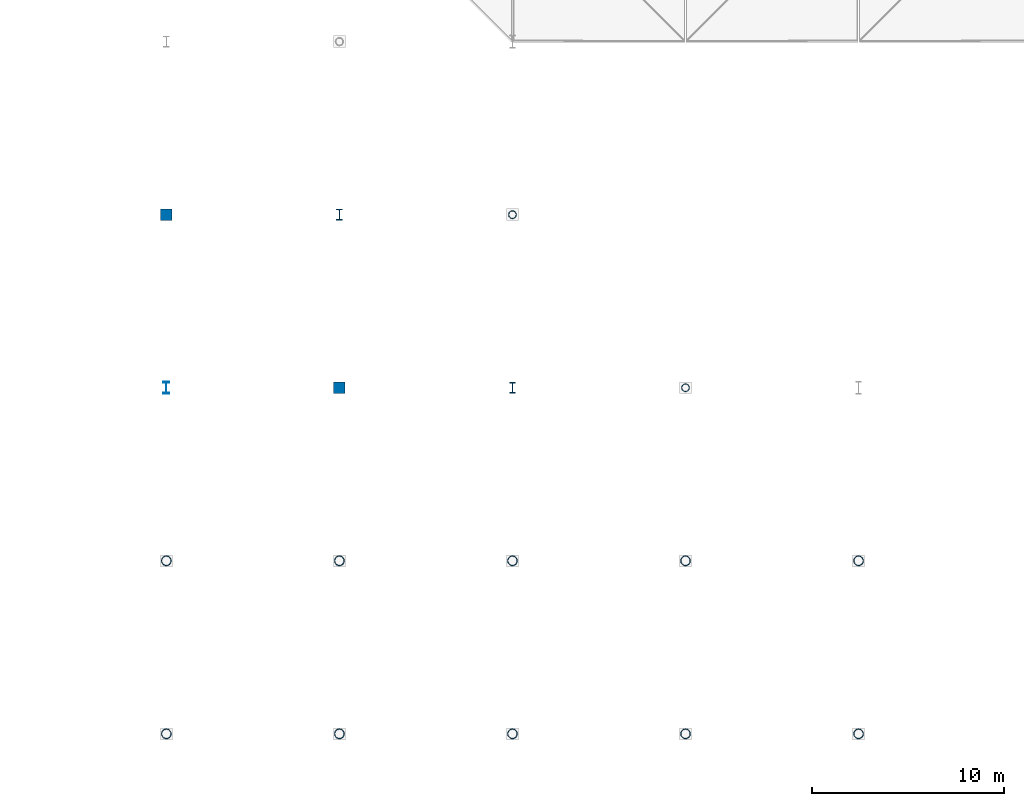
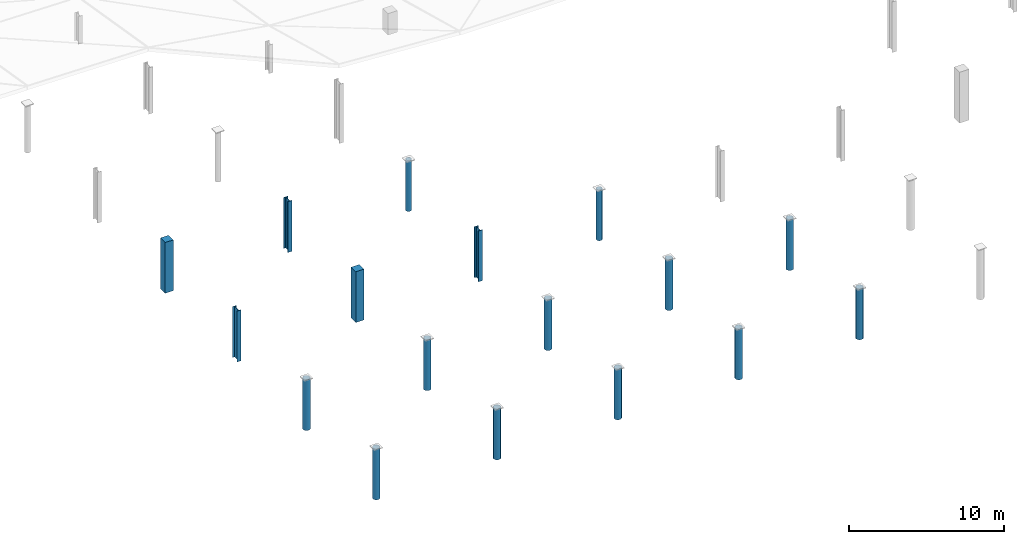
# One storey, part 1 of 102: 17 columns.
"""IFC4 building model written with IfcOpenShell, lengths in metres."""

from ifc_helpers import new_model, si_unit, direction, frame, origin, origin_2d, place, context, subcontext, project, spatial, rectangle, hollow_circle, i_section, extrude, material, material_profile, profile_set, type_object, element, save


model = new_model("IFC4")

# Units and contexts
model_context = context("Model", 3, precision=1e-05, world=origin(), true_north=direction((0.0, 1.0)))
body_context = subcontext(model_context, "Body", "Model", "MODEL_VIEW")
ifc_project = project(units=[si_unit("LENGTHUNIT", "METRE"), si_unit("AREAUNIT", "SQUARE_METRE"), si_unit("VOLUMEUNIT", "CUBIC_METRE"), si_unit("PLANEANGLEUNIT", "RADIAN"), si_unit("MASSUNIT", "GRAM", prefix="KILO")], contexts=[model_context])

# Site, building, storey
site_placement = place(None, origin())
site = spatial("IfcSite", under=ifc_project, at=site_placement, CompositionType="ELEMENT")
building_placement = place(site_placement, origin())
building = spatial("IfcBuilding", under=site, at=building_placement, Name="Barlavento Convention Centre", CompositionType="ELEMENT")
storey_placement = place(building_placement, frame((0.0, 0.0, 22.800048828125)))
storey = spatial("IfcBuildingStorey", under=building, at=storey_placement, Name="L04", CompositionType="ELEMENT", Elevation=22.800048828125)

# Columns
ifc_material_1 = material(Name="Steel S355", Category="steel")
ifc_material_profile_1 = material_profile(ifc_material_1, hollow_circle(Radius=0.203125, WallThickness=0.01611328125, at=origin_2d()), Name="CHS 406.4x16.0")
ifc_profile_set_1 = profile_set([ifc_material_profile_1], Name="Steel S355")
column_type_1 = type_object("IfcColumnType", Name="STR-COL-CHS406", PredefinedType="COLUMN", material=ifc_profile_set_1)
for number, where, z_axis, x_axis, name in (
    (1, (18.0, 27.0, 0.0), (0.0, 0.0, 1.0), (1.0, 0.0, 0.0), "L04 Congress hall column SC14"),
    (2, (27.0, 18.0, 0.0), (0.0, 0.0, 1.0), (1.0, 0.0, 0.0), "L04 Congress hall column SC14"),
):
    element("IfcColumn", number, at=place(storey_placement, frame(where, z_axis=z_axis, x_axis=x_axis)), inside=storey, type_object=column_type_1, Name=name, PredefinedType="COLUMN", context=body_context, shape_type="SweptSolid", body=[
        extrude(hollow_circle(Radius=0.203125, WallThickness=0.01611328125, at=origin_2d()), origin(), (0.0, 0.0, 1.0), 4.0),
    ])
ifc_material_2 = material(Name="Steel S460", Category="steel")
ifc_material_profile_2 = material_profile(ifc_material_2, hollow_circle(Radius=0.25390625, WallThickness=0.02001953125, at=origin_2d()), Name="CHS 508.0x20.0")
ifc_profile_set_2 = profile_set([ifc_material_profile_2], Name="Steel S460")
column_type_2 = type_object("IfcColumnType", Name="STR-COL-CHS508", PredefinedType="COLUMN", material=ifc_profile_set_2)
for number, where, z_axis, x_axis, name in (
    (3, (0.0, 0.0, 0.0), (0.0, 0.0, 1.0), (1.0, 0.0, 0.0), "L04 Congress hall column SC13"),
    (4, (0.0, 9.0, 0.0), (0.0, 0.0, 1.0), (1.0, 0.0, 0.0), "L04 Congress hall column SC13"),
    (5, (9.0, 0.0, 0.0), (0.0, 0.0, 1.0), (1.0, 0.0, 0.0), "L04 Congress hall column SC13"),
    (6, (9.0, 9.0, 0.0), (0.0, 0.0, 1.0), (1.0, 0.0, 0.0), "L04 Congress hall column SC13"),
    (7, (18.0, 0.0, 0.0), (0.0, 0.0, 1.0), (1.0, 0.0, 0.0), "L04 Congress hall column SC13"),
    (8, (18.0, 9.0, 0.0), (0.0, 0.0, 1.0), (1.0, 0.0, 0.0), "L04 Congress hall column SC13"),
    (9, (27.0, 0.0, 0.0), (0.0, 0.0, 1.0), (1.0, 0.0, 0.0), "L04 Congress hall column SC13"),
    (10, (27.0, 9.0, 0.0), (0.0, 0.0, 1.0), (1.0, 0.0, 0.0), "L04 Congress hall column SC13"),
    (11, (36.0, 0.0, 0.0), (0.0, 0.0, 1.0), (1.0, 0.0, 0.0), "L04 Congress hall column SC13"),
    (12, (36.0, 9.0, 0.0), (0.0, 0.0, 1.0), (1.0, 0.0, 0.0), "L04 Congress hall column SC13"),
):
    element("IfcColumn", number, at=place(storey_placement, frame(where, z_axis=z_axis, x_axis=x_axis)), inside=storey, type_object=column_type_2, Name=name, PredefinedType="COLUMN", context=body_context, shape_type="SweptSolid", body=[
        extrude(hollow_circle(Radius=0.25390625, WallThickness=0.02001953125, at=origin_2d()), origin(), (0.0, 0.0, 1.0), 4.0),
    ])
ifc_material_profile_3 = material_profile(ifc_material_1, i_section(OverallWidth=0.300048828125, OverallDepth=0.60009765625, WebThickness=0.015380859375, FlangeThickness=0.030029296875, FilletRadius=0.027099609375, at=origin_2d()), Name="HEB 600")
ifc_profile_set_3 = profile_set([ifc_material_profile_3], Name="Steel S355")
column_type_3 = type_object("IfcColumnType", Name="STR-COL-HEB600", PredefinedType="COLUMN", material=ifc_profile_set_3)
column_placement = place(storey_placement, frame((0.0, 18.0, 0.0), z_axis=(0.0, 0.0, 1.0), x_axis=(1.0, 0.0, 0.0)))
element("IfcColumn", 13, at=column_placement, inside=storey, type_object=column_type_3, Name="L04 Congress hall column SC08", PredefinedType="COLUMN", context=body_context, shape_type="SweptSolid", body=[
    extrude(i_section(OverallWidth=0.300048828125, OverallDepth=0.60009765625, WebThickness=0.015380859375, FlangeThickness=0.030029296875, FilletRadius=0.027099609375, at=origin_2d()), origin(), (0.0, 0.0, 1.0), 4.0),
])
ifc_material_profile_4 = material_profile(ifc_material_1, i_section(OverallWidth=0.305908203125, OverallDepth=0.572021484375, WebThickness=0.02099609375, FlangeThickness=0.0400390625, FilletRadius=0.027099609375, at=origin_2d()), Name="HEM 550")
ifc_profile_set_4 = profile_set([ifc_material_profile_4], Name="Steel S355")
column_type_4 = type_object("IfcColumnType", Name="STR-COL-HEM550", PredefinedType="COLUMN", material=ifc_profile_set_4)
for number, where, z_axis, x_axis, name in (
    (14, (9.0, 27.0, 0.0), (0.0, 0.0, 1.0), (1.0, 0.0, 0.0), "L04 Congress hall column SC06"),
    (15, (18.0, 18.0, 0.0), (0.0, 0.0, 1.0), (1.0, 0.0, 0.0), "L04 Congress hall column SC06"),
):
    element("IfcColumn", number, at=place(storey_placement, frame(where, z_axis=z_axis, x_axis=x_axis)), inside=storey, type_object=column_type_4, Name=name, PredefinedType="COLUMN", context=body_context, shape_type="SweptSolid", body=[
        extrude(i_section(OverallWidth=0.305908203125, OverallDepth=0.572021484375, WebThickness=0.02099609375, FlangeThickness=0.0400390625, FilletRadius=0.027099609375, at=origin_2d()), origin(), (0.0, 0.0, 1.0), 4.0),
    ])
ifc_material_3 = material(Name="Concrete C40/50", Category="concrete")
ifc_material_profile_5 = material_profile(ifc_material_3, rectangle(XDim=0.60009765625, YDim=0.60009765625, at=origin_2d()), Name="RC 600x600")
ifc_profile_set_5 = profile_set([ifc_material_profile_5], Name="Concrete C40/50")
column_type_5 = type_object("IfcColumnType", Name="STR-COL-RC600", PredefinedType="COLUMN", material=ifc_profile_set_5)
for number, where, z_axis, x_axis, name in (
    (16, (0.0, 27.0, 0.0), (0.0, 0.0, 1.0), (1.0, 0.0, 0.0), "L04 Congress hall column CC07"),
    (17, (9.0, 18.0, 0.0), (0.0, 0.0, 1.0), (1.0, 0.0, 0.0), "L04 Congress hall column CC07"),
):
    element("IfcColumn", number, at=place(storey_placement, frame(where, z_axis=z_axis, x_axis=x_axis)), inside=storey, type_object=column_type_5, Name=name, PredefinedType="COLUMN", context=body_context, shape_type="SweptSolid", body=[
        extrude(rectangle(XDim=0.60009765625, YDim=0.60009765625, at=origin_2d()), origin(), (0.0, 0.0, 1.0), 4.0),
    ])

save(model, "model.ifc")
